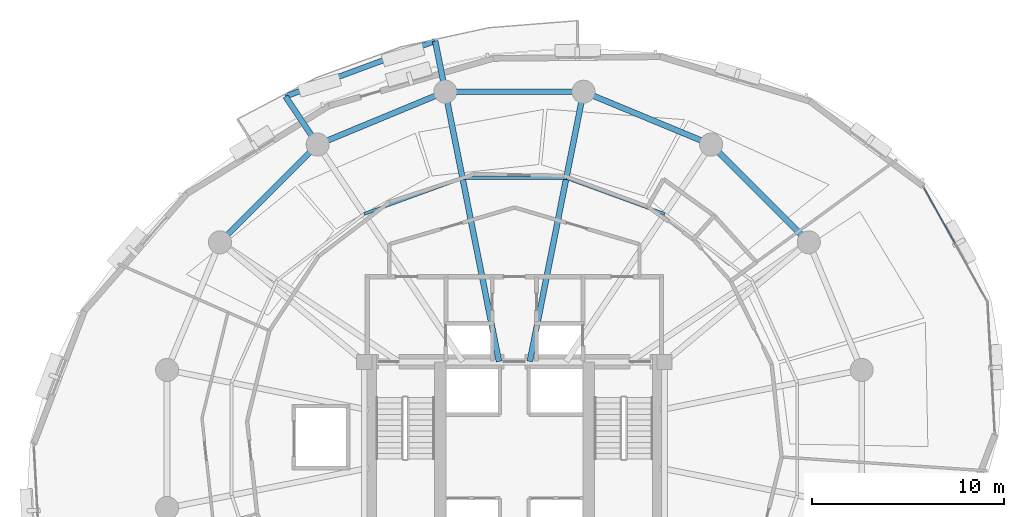
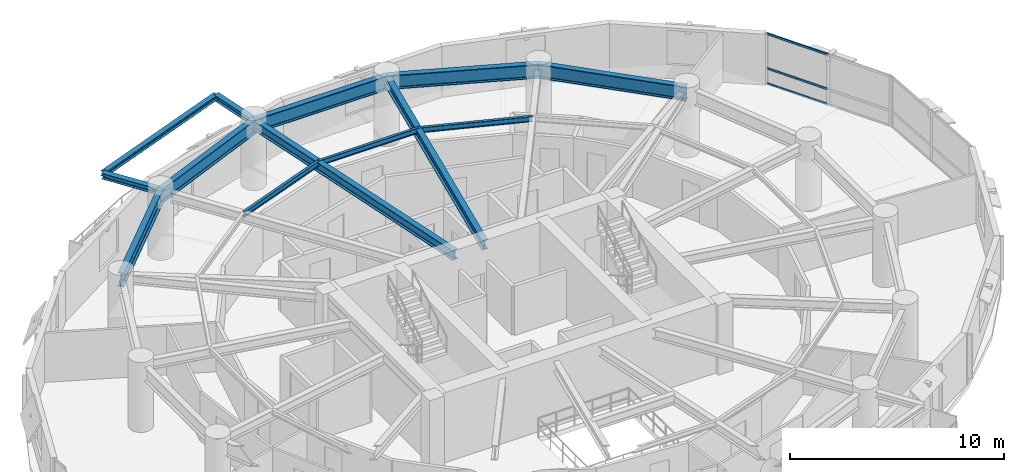
# One storey, part 7 of 15: 13 beams, 3 members, 1 element without a shape of its own.
"""IFC4 building model written with IfcOpenShell, lengths in metres."""

from ifc_helpers import new_model, si_unit, direction, frame, origin, origin_2d, place, context, subcontext, project, spatial, hollow_rectangle, i_section, extrude, material, layer, layer_set, material_profile, profile_set, type_object, element, aggregate, save


model = new_model("IFC4")

# Units and contexts
model_context = context("Model", 3, precision=1e-05, world=origin(), true_north=direction((0.0, 1.0)))
body_context = subcontext(model_context, "Body", "Model", "MODEL_VIEW")
ifc_project = project(units=[si_unit("LENGTHUNIT", "METRE"), si_unit("AREAUNIT", "SQUARE_METRE"), si_unit("VOLUMEUNIT", "CUBIC_METRE"), si_unit("PLANEANGLEUNIT", "RADIAN"), si_unit("MASSUNIT", "GRAM", prefix="KILO"), si_unit("THERMODYNAMICTEMPERATUREUNIT", "KELVIN"), si_unit("POWERUNIT", "WATT")], contexts=[model_context])

# Site, building, storey
site_placement = place(None, origin())
site = spatial("IfcSite", under=ifc_project, at=site_placement, CompositionType="ELEMENT")
building_placement = place(site_placement, origin())
building = spatial("IfcBuilding", under=site, at=building_placement, Name="Ocrelia Relay Tower", CompositionType="ELEMENT")
storey_placement = place(building_placement, frame((0.0, 0.0, 101.800048828125)))
storey = spatial("IfcBuildingStorey", under=building, at=storey_placement, Name="L23", CompositionType="ELEMENT", Elevation=101.800048828125)

# Beams
ifc_material_1 = material(Name="Steel S355", Category="steel")
ifc_material_profile_1 = material_profile(ifc_material_1, i_section(OverallWidth=0.280029296875, OverallDepth=0.27001953125, WebThickness=0.008056640625, FlangeThickness=0.012939453125, FilletRadius=0.02392578125, at=origin_2d()), Name="HEA 280")
ifc_profile_set_1 = profile_set([ifc_material_profile_1], Name="Steel S355")
beam_type_1 = type_object("IfcBeamType", Name="BM-HEA280", PredefinedType="BEAM", material=ifc_profile_set_1)
beam_1_placement = place(storey_placement, frame((29.8857421875, 46.683349609375, 3.5849609375), z_axis=(-0.937536650893, -0.347886516314, 0.0), x_axis=(0.347886516314, -0.937536650893, 0.0)))
element("IfcBeam", 1, at=beam_1_placement, inside=storey, type_object=beam_type_1, Name="L24 Balcony Edge Trimmer Beam B1", PredefinedType="BEAM", context=body_context, shape_type="SweptSolid", body=[
    extrude(i_section(OverallWidth=0.280029296875, OverallDepth=0.27001953125, WebThickness=0.008056640625, FlangeThickness=0.012939453125, FilletRadius=0.02392578125, at=origin_2d()), origin(), (0.0, 0.0, 1.0), 8.295654296875),
])
ifc_material_profile_2 = material_profile(ifc_material_1, i_section(OverallWidth=0.300048828125, OverallDepth=0.330078125, WebThickness=0.009521484375, FlangeThickness=0.0166015625, FilletRadius=0.027099609375, at=origin_2d()), Name="HEA 340")
ifc_profile_set_2 = profile_set([ifc_material_profile_2], Name="Steel S355")
beam_type_2 = type_object("IfcBeamType", Name="BM-HEA340", PredefinedType="BEAM", material=ifc_profile_set_2)
beam_2_placement = place(storey_placement, frame((30.410400390625, 44.04638671875, 3.554931640625), z_axis=(-0.195138146629, 0.980775766284, 0.0), x_axis=(-0.980775766284, -0.195138146629, 0.0)))
element("IfcBeam", 2, at=beam_2_placement, inside=storey, type_object=beam_type_2, Name="L24 Balcony Cantilever Beam B1-1", PredefinedType="BEAM", context=body_context, shape_type="SweptSolid", body=[
    extrude(i_section(OverallWidth=0.300048828125, OverallDepth=0.330078125, WebThickness=0.009521484375, FlangeThickness=0.0166015625, FilletRadius=0.027099609375, at=origin_2d()), origin(), (0.0, 0.0, 1.0), 2.688720703125),
])
beam_3_placement = place(storey_placement, frame((23.777587890625, 41.299072265625, 3.554931640625), z_axis=(-0.555599891785, 0.831449794184, 0.0), x_axis=(-0.831449794184, -0.555599891785, 0.0)))
element("IfcBeam", 3, at=beam_3_placement, inside=storey, type_object=beam_type_2, Name="L24 Balcony Cantilever Beam B1-2", PredefinedType="BEAM", context=body_context, shape_type="SweptSolid", body=[
    extrude(i_section(OverallWidth=0.300048828125, OverallDepth=0.330078125, WebThickness=0.009521484375, FlangeThickness=0.0166015625, FilletRadius=0.027099609375, at=origin_2d()), origin(), (0.0, 0.0, 1.0), 3.004638671875),
])
ifc_material_profile_3 = material_profile(ifc_material_1, i_section(OverallWidth=0.300048828125, OverallDepth=0.550048828125, WebThickness=0.014892578125, FlangeThickness=0.029052734375, FilletRadius=0.027099609375, at=origin_2d()), Name="HEB 550")
ifc_profile_set_3 = profile_set([ifc_material_profile_3], Name="Steel S355")
beam_type_3 = type_object("IfcBeamType", Name="BM-HEB550", PredefinedType="BEAM", material=ifc_profile_set_3)
for number, where, z_axis, x_axis, name in (
    (4, (37.589599609375, 44.04638671875, 3.445068359375), (-0.195094300142, -0.980784489096, 0.0), (0.980784489096, -0.195094300142, 0.0), "L23 Radial Floor Girder R04"),
    (5, (30.410400390625, 44.04638671875, 3.445068359375), (0.195094300142, -0.980784489096, 0.0), (0.980784489096, 0.195094300142, 0.0), "L23 Radial Floor Girder R05"),
):
    element("IfcBeam", number, at=place(storey_placement, frame(where, z_axis=z_axis, x_axis=x_axis)), inside=storey, type_object=beam_type_3, Name=name, PredefinedType="BEAM", context=body_context, shape_type="SweptSolid", body=[
        extrude(i_section(OverallWidth=0.300048828125, OverallDepth=0.550048828125, WebThickness=0.014892578125, FlangeThickness=0.029052734375, FilletRadius=0.027099609375, at=origin_2d()), origin(), (0.0, 0.0, 1.0), 14.291015625),
    ])
ifc_material_profile_4 = material_profile(ifc_material_1, i_section(OverallWidth=0.300048828125, OverallDepth=0.800048828125, WebThickness=0.017578125, FlangeThickness=0.032958984375, FilletRadius=0.030029296875, at=origin_2d()), Name="HEB 800")
ifc_profile_set_4 = profile_set([ifc_material_profile_4], Name="Steel S355")
beam_type_4 = type_object("IfcBeamType", Name="BM-HEB800", PredefinedType="BEAM", material=ifc_profile_set_4)
beam_4_placement = place(storey_placement, frame((49.299072265625, 36.222412109375, 3.320068359375), z_axis=(-0.707106781187, 0.707106781187, 0.0), x_axis=(-0.707106781187, -0.707106781187, 0.0)))
element("IfcBeam", 6, at=beam_4_placement, inside=storey, type_object=beam_type_4, Name="L23 Perimeter Spandrel Beam S02", PredefinedType="BEAM", context=body_context, shape_type="SweptSolid", body=[
    extrude(i_section(OverallWidth=0.300048828125, OverallDepth=0.800048828125, WebThickness=0.017578125, FlangeThickness=0.032958984375, FilletRadius=0.030029296875, at=origin_2d()), origin(), (0.0, 0.0, 1.0), 7.179443359375),
])
for number, where, z_axis, x_axis, name in (
    (7, (44.222412109375, 41.299072265625, 3.320068359375), (-0.923883789366, 0.382673155247, 0.0), (-0.382673155247, -0.923883789366, 0.0), "L23 Perimeter Spandrel Beam S03"),
    (8, (37.589599609375, 44.04638671875, 3.320068359375), (-1.0, 0.0, 0.0), (0.0, -1.0, 0.0), "L23 Perimeter Spandrel Beam S04"),
    (9, (30.410400390625, 44.04638671875, 3.320068359375), (-0.923883789366, -0.382673155247, 0.0), (0.382673155247, -0.923883789366, 0.0), "L23 Perimeter Spandrel Beam S05"),
):
    element("IfcBeam", number, at=place(storey_placement, frame(where, z_axis=z_axis, x_axis=x_axis)), inside=storey, type_object=beam_type_4, Name=name, PredefinedType="BEAM", context=body_context, shape_type="SweptSolid", body=[
        extrude(i_section(OverallWidth=0.300048828125, OverallDepth=0.800048828125, WebThickness=0.017578125, FlangeThickness=0.032958984375, FilletRadius=0.030029296875, at=origin_2d()), origin(), (0.0, 0.0, 1.0), 7.17919921875),
    ])
beam_5_placement = place(storey_placement, frame((23.777587890625, 41.299072265625, 3.320068359375), z_axis=(-0.707106781187, -0.707106781187, 0.0), x_axis=(0.707106781187, -0.707106781187, 0.0)))
element("IfcBeam", 10, at=beam_5_placement, inside=storey, type_object=beam_type_4, Name="L23 Perimeter Spandrel Beam S06", PredefinedType="BEAM", context=body_context, shape_type="SweptSolid", body=[
    extrude(i_section(OverallWidth=0.300048828125, OverallDepth=0.800048828125, WebThickness=0.017578125, FlangeThickness=0.032958984375, FilletRadius=0.030029296875, at=origin_2d()), origin(), (0.0, 0.0, 1.0), 7.179443359375),
])
ifc_material_profile_5 = material_profile(ifc_material_1, i_section(OverallWidth=0.14990234375, OverallDepth=0.300048828125, WebThickness=0.007080078125, FlangeThickness=0.0107421875, FilletRadius=0.014892578125, at=origin_2d()), Name="IPE 300")
ifc_profile_set_5 = profile_set([ifc_material_profile_5], Name="Steel S355")
beam_type_5 = type_object("IfcBeamType", Name="BM-IPE300", PredefinedType="JOIST", material=ifc_profile_set_5)
beam_6_placement = place(storey_placement, frame((41.81298828125, 37.69287109375, 3.570068359375), z_axis=(-0.93930687927, 0.34307810562, 0.0), x_axis=(-0.34307810562, -0.93930687927, 0.0)))
element("IfcBeam", 11, at=beam_6_placement, inside=storey, type_object=beam_type_5, Name="L23 Secondary Floor Joist J03", PredefinedType="JOIST", context=body_context, shape_type="SweptSolid", body=[
    extrude(i_section(OverallWidth=0.14990234375, OverallDepth=0.300048828125, WebThickness=0.007080078125, FlangeThickness=0.0107421875, FilletRadius=0.014892578125, at=origin_2d()), origin(), (0.0, 0.0, 1.0), 5.446044921875),
])
beam_7_placement = place(storey_placement, frame((36.697509765625, 39.561279296875, 3.570068359375), z_axis=(-1.0, 0.0, 0.0), x_axis=(0.0, -1.0, 0.0)))
element("IfcBeam", 12, at=beam_7_placement, inside=storey, type_object=beam_type_5, Name="L23 Secondary Floor Joist J04", PredefinedType="JOIST", context=body_context, shape_type="SweptSolid", body=[
    extrude(i_section(OverallWidth=0.14990234375, OverallDepth=0.300048828125, WebThickness=0.007080078125, FlangeThickness=0.0107421875, FilletRadius=0.014892578125, at=origin_2d()), origin(), (0.0, 0.0, 1.0), 5.39501953125),
])
beam_8_placement = place(storey_placement, frame((31.302490234375, 39.561279296875, 3.570068359375), z_axis=(-0.93930687927, -0.34307810562, 0.0), x_axis=(0.34307810562, -0.93930687927, 0.0)))
element("IfcBeam", 13, at=beam_8_placement, inside=storey, type_object=beam_type_5, Name="L23 Secondary Floor Joist J05", PredefinedType="JOIST", context=body_context, shape_type="SweptSolid", body=[
    extrude(i_section(OverallWidth=0.14990234375, OverallDepth=0.300048828125, WebThickness=0.007080078125, FlangeThickness=0.0107421875, FilletRadius=0.014892578125, at=origin_2d()), origin(), (0.0, 0.0, 1.0), 5.446044921875),
])

# Curtain wall, members
ifc_material_2 = material(Name="Aluminium and solar-control low-E glass", Category="aluminium")
ifc_layer = layer(ifc_material_2, 0.179931640625, Name="Aluminium and solar-control low-E glass")
ifc_layer_set = layer_set([ifc_layer], Name="Aluminium and solar-control low-E glass")
curtain_wall_type = type_object("IfcCurtainWallType", Name="CW-SYS-Z2-SWIT", PredefinedType="NOTDEFINED", material=ifc_layer_set)
curtain_wall_placement = place(storey_placement, origin())
curtain_wall = element("IfcCurtainWall", 14, at=curtain_wall_placement, inside=storey, type_object=curtain_wall_type, Name="L23 Elliptical Tower Curtain Wall Bay 01", PredefinedType="NOTDEFINED")
ifc_material_3 = material(Name="Anodised bronze aluminium", Category="aluminium")
ifc_material_profile_6 = material_profile(ifc_material_3, hollow_rectangle(XDim=0.06005859375, YDim=0.1201171875, WallThickness=0.0048828125, at=origin_2d()), Name="CW-TRN-120x60")
ifc_profile_set_6 = profile_set([ifc_material_profile_6], Name="Anodised bronze aluminium")
member_type = type_object("IfcMemberType", Name="CW-SYS-Z2-SWIT-TRN", PredefinedType="USERDEFINED", material=ifc_profile_set_6)
member_1_placement = place(storey_placement, frame((56.89892578125, 36.156005859375, 0.030029296875), z_axis=(-0.486599986368, 0.873624892769, 0.0), x_axis=(-0.873624892769, -0.486599986368, 0.0)))
member_1 = element("IfcMember", 15, at=member_1_placement, type_object=member_type, Name="CW-Z2 transom 2.1", ObjectType="TRANSOM", PredefinedType="USERDEFINED", context=body_context, shape_type="SweptSolid", body=[
    extrude(hollow_rectangle(XDim=0.06005859375, YDim=0.1201171875, WallThickness=0.0048828125, at=origin_2d()), origin(), (0.0, 0.0, 1.0), 3.33447265625),
])
member_2_placement = place(storey_placement, frame((56.89892578125, 36.156005859375, 0.89990234375), z_axis=(-0.486599986368, 0.873624892769, 0.0), x_axis=(-0.873624892769, -0.486599986368, 0.0)))
member_2 = element("IfcMember", 16, at=member_2_placement, type_object=member_type, Name="CW-Z2 transom 2.2", ObjectType="TRANSOM", PredefinedType="USERDEFINED", context=body_context, shape_type="SweptSolid", body=[
    extrude(hollow_rectangle(XDim=0.06005859375, YDim=0.1201171875, WallThickness=0.0048828125, at=origin_2d()), origin(), (0.0, 0.0, 1.0), 3.33447265625),
])
member_3_placement = place(storey_placement, frame((56.89892578125, 36.156005859375, 2.869873046875), z_axis=(-0.486599986368, 0.873624892769, 0.0), x_axis=(-0.873624892769, -0.486599986368, 0.0)))
member_3 = element("IfcMember", 17, at=member_3_placement, type_object=member_type, Name="CW-Z2 transom 2.3", ObjectType="TRANSOM", PredefinedType="USERDEFINED", context=body_context, shape_type="SweptSolid", body=[
    extrude(hollow_rectangle(XDim=0.06005859375, YDim=0.1201171875, WallThickness=0.0048828125, at=origin_2d()), origin(), (0.0, 0.0, 1.0), 3.33447265625),
])
aggregate(curtain_wall, [member_1, member_2, member_3])

save(model, "model.ifc")
